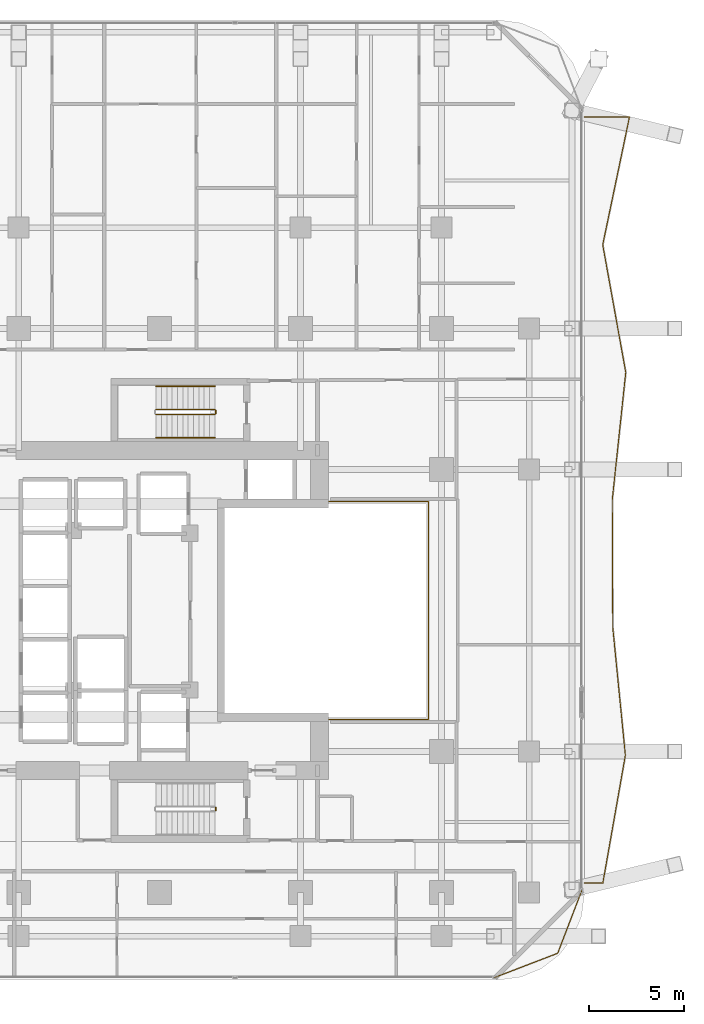
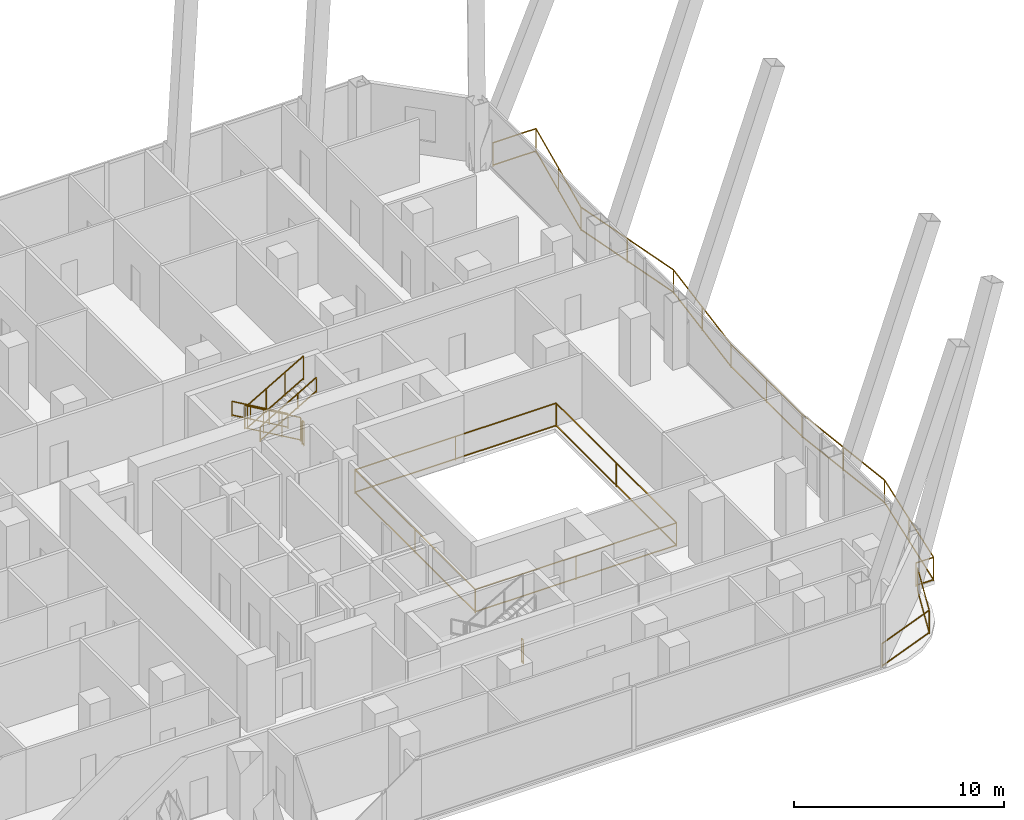
# One storey, part 31 of 32: 9 railings.
"""IFC4 building model written with IfcOpenShell, lengths in metres."""

from ifc_helpers import new_model, si_unit, direction, frame, origin, origin_2d, place, context, subcontext, project, spatial, rectangle, extrude, material, type_object, element, save


model = new_model("IFC4")

# Units and contexts
model_context = context("Model", 3, precision=1e-05, world=origin(), true_north=direction((0.0, 1.0)))
body_context = subcontext(model_context, "Body", "Model", "MODEL_VIEW")
ifc_project = project(units=[si_unit("LENGTHUNIT", "METRE"), si_unit("AREAUNIT", "SQUARE_METRE"), si_unit("VOLUMEUNIT", "CUBIC_METRE"), si_unit("PLANEANGLEUNIT", "RADIAN"), si_unit("MASSUNIT", "GRAM", prefix="KILO")], contexts=[model_context])

# Site, building, storey
site_placement = place(None, origin())
site = spatial("IfcSite", under=ifc_project, at=site_placement, CompositionType="ELEMENT")
building_placement = place(site_placement, origin())
building = spatial("IfcBuilding", under=site, at=building_placement, Name="Khorvyn Point Tower", CompositionType="ELEMENT")
storey_placement = place(building_placement, frame((0.0, 0.0, 93.0)))
storey = spatial("IfcBuildingStorey", under=building, at=storey_placement, Name="L23", CompositionType="ELEMENT", Elevation=93.0)

# Railings
ifc_material_1 = material(Name="Stainless steel 1.4401 and laminated glass", Category="steel")
railing_type_1 = type_object("IfcRailingType", Name="Crystal Atrium Smoke-Rated Perimeter Guardrail 1400", PredefinedType="GUARDRAIL", material=ifc_material_1)
railing_1_placement = place(storey_placement, frame((3.080078125, -5.719970703125, 0.0)))
element("IfcRailing", 1, at=railing_1_placement, inside=storey, type_object=railing_type_1, Name="L23 Crystal Atrium Perimeter Guardrail", PredefinedType="GUARDRAIL", context=body_context, shape_type="SweptSolid", body=[
    extrude(rectangle(XDim=0.048095703125, YDim=0.048095703125, at=origin_2d()), frame((0.0, 0.0, 1.3759765625), z_axis=(1.0, 0.0, 0.0), x_axis=(0.0, 1.0, 0.0)), (0.0, 0.0, 1.0), 11.0400390625),
    extrude(rectangle(XDim=0.048095703125, YDim=0.048095703125, at=origin_2d()), frame((0.0, 0.0, 0.080078125), z_axis=(1.0, 0.0, 0.0), x_axis=(0.0, 1.0, 0.0)), (0.0, 0.0, 1.0), 11.0400390625),
    extrude(rectangle(XDim=0.048095703125, YDim=0.048095703125, at=origin_2d()), frame((11.0400390625, 0.0, 1.3759765625), z_axis=(0.0, 1.0, 0.0), x_axis=(-1.0, 0.0, 0.0)), (0.0, 0.0, 1.0), 11.43994140625),
    extrude(rectangle(XDim=0.048095703125, YDim=0.048095703125, at=origin_2d()), frame((11.0400390625, 0.0, 0.080078125), z_axis=(0.0, 1.0, 0.0), x_axis=(-1.0, 0.0, 0.0)), (0.0, 0.0, 1.0), 11.43994140625),
    extrude(rectangle(XDim=0.048095703125, YDim=0.048095703125, at=origin_2d()), frame((11.0400390625, 11.43994140625, 1.3759765625), z_axis=(-1.0, 0.0, 0.0), x_axis=(0.0, -1.0, 0.0)), (0.0, 0.0, 1.0), 11.0400390625),
    extrude(rectangle(XDim=0.048095703125, YDim=0.048095703125, at=origin_2d()), frame((11.0400390625, 11.43994140625, 0.080078125), z_axis=(-1.0, 0.0, 0.0), x_axis=(0.0, -1.0, 0.0)), (0.0, 0.0, 1.0), 11.0400390625),
    extrude(rectangle(XDim=0.048095703125, YDim=0.048095703125, at=origin_2d()), frame((0.0, 11.43994140625, 1.3759765625), z_axis=(0.0, -1.0, 0.0), x_axis=(1.0, 0.0, 0.0)), (0.0, 0.0, 1.0), 11.409912109375),
    extrude(rectangle(XDim=0.048095703125, YDim=0.048095703125, at=origin_2d()), frame((0.0, 11.43994140625, 0.080078125), z_axis=(0.0, -1.0, 0.0), x_axis=(1.0, 0.0, 0.0)), (0.0, 0.0, 1.0), 11.409912109375),
    extrude(rectangle(XDim=0.0419921875, YDim=0.0419921875, at=origin_2d()), origin(), (0.0, 0.0, 1.0), 1.351806640625),
    extrude(rectangle(XDim=0.0419921875, YDim=0.0419921875, at=origin_2d()), frame((5.52001953125, 0.0, 0.0)), (0.0, 0.0, 1.0), 1.351806640625),
    extrude(rectangle(XDim=0.0419921875, YDim=0.0419921875, at=origin_2d()), frame((11.0400390625, 0.0, 0.0)), (0.0, 0.0, 1.0), 1.351806640625),
    extrude(rectangle(XDim=0.0419921875, YDim=0.0419921875, at=origin_2d()), frame((11.0400390625, 5.719970703125, 0.0)), (0.0, 0.0, 1.0), 1.351806640625),
    extrude(rectangle(XDim=0.0419921875, YDim=0.0419921875, at=origin_2d()), frame((11.0400390625, 11.43994140625, 0.0)), (0.0, 0.0, 1.0), 1.351806640625),
    extrude(rectangle(XDim=0.0419921875, YDim=0.0419921875, at=origin_2d()), frame((5.52001953125, 11.43994140625, 0.0)), (0.0, 0.0, 1.0), 1.351806640625),
    extrude(rectangle(XDim=0.0419921875, YDim=0.0419921875, at=origin_2d()), frame((0.0, 11.43994140625, 0.0)), (0.0, 0.0, 1.0), 1.351806640625),
    extrude(rectangle(XDim=0.0419921875, YDim=0.0419921875, at=origin_2d()), frame((0.0, 5.73486328125, 0.0)), (0.0, 0.0, 1.0), 1.351806640625),
    extrude(rectangle(XDim=0.0419921875, YDim=0.0419921875, at=origin_2d()), frame((0.0, 0.030029296875, 0.0)), (0.0, 0.0, 1.0), 1.351806640625),
])
ifc_material_2 = material(Name="Anodised aluminium 6063-T6 and laminated safety glass", Category="aluminium")
railing_type_2 = type_object("IfcRailingType", Name="Laminated Glass and Aluminium Balcony Guardrail 1400", PredefinedType="BALUSTRADE", material=ifc_material_2)
railing_2_placement = place(storey_placement, frame((17.57080078125, -19.27392578125, 0.0)))
element("IfcRailing", 2, at=railing_2_placement, inside=storey, type_object=railing_type_2, Name="L23 Rounded Corner Edge Guardrail SE", PredefinedType="BALUSTRADE", context=body_context, shape_type="SweptSolid", body=[
    extrude(rectangle(XDim=0.048095703125, YDim=0.048095703125, at=origin_2d()), frame((0.0, 0.0, 1.3759765625), z_axis=(0.933583807283, 0.358359142172, 0.0), x_axis=(-0.358359142172, 0.933583807283, 0.0)), (0.0, 0.0, 1.0), 3.56298828125),
    extrude(rectangle(XDim=0.048095703125, YDim=0.048095703125, at=origin_2d()), frame((0.0, 0.0, 0.080078125), z_axis=(0.933583807283, 0.358359142172, 0.0), x_axis=(-0.358359142172, 0.933583807283, 0.0)), (0.0, 0.0, 1.0), 3.56298828125),
    extrude(rectangle(XDim=0.048095703125, YDim=0.048095703125, at=origin_2d()), frame((3.326416015625, 1.27685546875, 1.3759765625), z_axis=(0.358382067435, 0.933575007025, 0.0), x_axis=(-0.933575007025, 0.358382067435, 0.0)), (0.0, 0.0, 1.0), 3.562744140625),
    extrude(rectangle(XDim=0.048095703125, YDim=0.048095703125, at=origin_2d()), frame((3.326416015625, 1.27685546875, 0.080078125), z_axis=(0.358382067435, 0.933575007025, 0.0), x_axis=(-0.933575007025, 0.358382067435, 0.0)), (0.0, 0.0, 1.0), 3.562744140625),
    extrude(rectangle(XDim=0.0419921875, YDim=0.0419921875, at=origin_2d()), origin(), (0.0, 0.0, 1.0), 1.351806640625),
    extrude(rectangle(XDim=0.0419921875, YDim=0.0419921875, at=origin_2d()), frame((3.326416015625, 1.27685546875, 0.0)), (0.0, 0.0, 1.0), 1.351806640625),
    extrude(rectangle(XDim=0.0419921875, YDim=0.0419921875, at=origin_2d()), frame((4.603271484375, 4.60302734375, 0.0)), (0.0, 0.0, 1.0), 1.351806640625),
])
railing_3_placement = place(storey_placement, frame((22.300048828125, -14.300048828125, 0.0)))
element("IfcRailing", 3, at=railing_3_placement, inside=storey, type_object=railing_type_2, Name="L23 East Balcony Guardrail", PredefinedType="BALUSTRADE", context=body_context, shape_type="SweptSolid", body=[
    extrude(rectangle(XDim=0.048095703125, YDim=0.048095703125, at=origin_2d()), frame((0.0, 0.0, 1.3759765625), z_axis=(1.0, 0.0, 0.0), x_axis=(0.0, 1.0, 0.0)), (0.0, 0.0, 1.0), 0.968017578125),
    extrude(rectangle(XDim=0.048095703125, YDim=0.048095703125, at=origin_2d()), frame((0.0, 0.0, 0.080078125), z_axis=(1.0, 0.0, 0.0), x_axis=(0.0, 1.0, 0.0)), (0.0, 0.0, 1.0), 0.968017578125),
    extrude(rectangle(XDim=0.048095703125, YDim=0.048095703125, at=origin_2d()), frame((0.968017578125, 0.0, 1.3759765625), z_axis=(0.173685022658, 0.984801255536, 0.0), x_axis=(-0.984801255536, 0.173685022658, 0.0)), (0.0, 0.0, 1.0), 6.803466796875),
    extrude(rectangle(XDim=0.048095703125, YDim=0.048095703125, at=origin_2d()), frame((0.968017578125, 0.0, 0.080078125), z_axis=(0.173685022658, 0.984801255536, 0.0), x_axis=(-0.984801255536, 0.173685022658, 0.0)), (0.0, 0.0, 1.0), 6.803466796875),
    extrude(rectangle(XDim=0.048095703125, YDim=0.048095703125, at=origin_2d()), frame((2.149658203125, 6.699951171875, 1.3759765625), z_axis=(-0.098232686566, 0.995163473651, 0.0), x_axis=(-0.995163473651, -0.098232686566, 0.0)), (0.0, 0.0, 1.0), 6.732666015625),
    extrude(rectangle(XDim=0.048095703125, YDim=0.048095703125, at=origin_2d()), frame((2.149658203125, 6.699951171875, 0.080078125), z_axis=(-0.098232686566, 0.995163473651, 0.0), x_axis=(-0.995163473651, -0.098232686566, 0.0)), (0.0, 0.0, 1.0), 6.732666015625),
    extrude(rectangle(XDim=0.048095703125, YDim=0.048095703125, at=origin_2d()), frame((1.48828125, 13.400146484375, 1.3759765625), z_axis=(-0.004117590718, 0.999991522687, 0.0), x_axis=(-0.999991522687, -0.004117590718, 0.0)), (0.0, 0.0, 1.0), 6.699951171875),
    extrude(rectangle(XDim=0.048095703125, YDim=0.048095703125, at=origin_2d()), frame((1.48828125, 13.400146484375, 0.080078125), z_axis=(-0.004117590718, 0.999991522687, 0.0), x_axis=(-0.999991522687, -0.004117590718, 0.0)), (0.0, 0.0, 1.0), 6.699951171875),
    extrude(rectangle(XDim=0.048095703125, YDim=0.048095703125, at=origin_2d()), frame((1.460693359375, 20.10009765625, 1.3759765625), z_axis=(0.105303466428, 0.994440133924, 0.0), x_axis=(-0.994440133924, 0.105303466428, 0.0)), (0.0, 0.0, 1.0), 6.7373046875),
    extrude(rectangle(XDim=0.048095703125, YDim=0.048095703125, at=origin_2d()), frame((1.460693359375, 20.10009765625, 0.080078125), z_axis=(0.105303466428, 0.994440133924, 0.0), x_axis=(-0.994440133924, 0.105303466428, 0.0)), (0.0, 0.0, 1.0), 6.7373046875),
    extrude(rectangle(XDim=0.048095703125, YDim=0.048095703125, at=origin_2d()), frame((2.170166015625, 26.800048828125, 1.3759765625), z_axis=(-0.177787191448, 0.984068958233, 0.0), x_axis=(-0.984068958233, -0.177787191448, 0.0)), (0.0, 0.0, 1.0), 6.808349609375),
    extrude(rectangle(XDim=0.048095703125, YDim=0.048095703125, at=origin_2d()), frame((2.170166015625, 26.800048828125, 0.080078125), z_axis=(-0.177787191448, 0.984068958233, 0.0), x_axis=(-0.984068958233, -0.177787191448, 0.0)), (0.0, 0.0, 1.0), 6.808349609375),
    extrude(rectangle(XDim=0.048095703125, YDim=0.048095703125, at=origin_2d()), frame((0.959716796875, 33.5, 1.3759765625), z_axis=(0.204935464509, 0.978775487733, 0.0), x_axis=(-0.978775487733, 0.204935464509, 0.0)), (0.0, 0.0, 1.0), 6.84521484375),
    extrude(rectangle(XDim=0.048095703125, YDim=0.048095703125, at=origin_2d()), frame((0.959716796875, 33.5, 0.080078125), z_axis=(0.204935464509, 0.978775487733, 0.0), x_axis=(-0.978775487733, 0.204935464509, 0.0)), (0.0, 0.0, 1.0), 6.84521484375),
    extrude(rectangle(XDim=0.048095703125, YDim=0.048095703125, at=origin_2d()), frame((2.362548828125, 40.199951171875, 1.3759765625), z_axis=(-1.0, 0.0, 0.0), x_axis=(0.0, -1.0, 0.0)), (0.0, 0.0, 1.0), 2.362548828125),
    extrude(rectangle(XDim=0.048095703125, YDim=0.048095703125, at=origin_2d()), frame((2.362548828125, 40.199951171875, 0.080078125), z_axis=(-1.0, 0.0, 0.0), x_axis=(0.0, -1.0, 0.0)), (0.0, 0.0, 1.0), 2.362548828125),
    extrude(rectangle(XDim=0.0419921875, YDim=0.0419921875, at=origin_2d()), origin(), (0.0, 0.0, 1.0), 1.351806640625),
    extrude(rectangle(XDim=0.0419921875, YDim=0.0419921875, at=origin_2d()), frame((0.968017578125, 0.0, 0.0)), (0.0, 0.0, 1.0), 1.351806640625),
    extrude(rectangle(XDim=0.0419921875, YDim=0.0419921875, at=origin_2d()), frame((1.558837890625, 3.35009765625, 0.0)), (0.0, 0.0, 1.0), 1.351806640625),
    extrude(rectangle(XDim=0.0419921875, YDim=0.0419921875, at=origin_2d()), frame((2.149658203125, 6.699951171875, 0.0)), (0.0, 0.0, 1.0), 1.351806640625),
    extrude(rectangle(XDim=0.0419921875, YDim=0.0419921875, at=origin_2d()), frame((1.81884765625, 10.050048828125, 0.0)), (0.0, 0.0, 1.0), 1.351806640625),
    extrude(rectangle(XDim=0.0419921875, YDim=0.0419921875, at=origin_2d()), frame((1.48828125, 13.400146484375, 0.0)), (0.0, 0.0, 1.0), 1.351806640625),
    extrude(rectangle(XDim=0.0419921875, YDim=0.0419921875, at=origin_2d()), frame((1.474609375, 16.75, 0.0)), (0.0, 0.0, 1.0), 1.351806640625),
    extrude(rectangle(XDim=0.0419921875, YDim=0.0419921875, at=origin_2d()), frame((1.460693359375, 20.10009765625, 0.0)), (0.0, 0.0, 1.0), 1.351806640625),
    extrude(rectangle(XDim=0.0419921875, YDim=0.0419921875, at=origin_2d()), frame((1.8154296875, 23.4501953125, 0.0)), (0.0, 0.0, 1.0), 1.351806640625),
    extrude(rectangle(XDim=0.0419921875, YDim=0.0419921875, at=origin_2d()), frame((2.170166015625, 26.800048828125, 0.0)), (0.0, 0.0, 1.0), 1.351806640625),
    extrude(rectangle(XDim=0.0419921875, YDim=0.0419921875, at=origin_2d()), frame((1.56494140625, 30.14990234375, 0.0)), (0.0, 0.0, 1.0), 1.351806640625),
    extrude(rectangle(XDim=0.0419921875, YDim=0.0419921875, at=origin_2d()), frame((0.959716796875, 33.5, 0.0)), (0.0, 0.0, 1.0), 1.351806640625),
    extrude(rectangle(XDim=0.0419921875, YDim=0.0419921875, at=origin_2d()), frame((1.6611328125, 36.85009765625, 0.0)), (0.0, 0.0, 1.0), 1.351806640625),
    extrude(rectangle(XDim=0.0419921875, YDim=0.0419921875, at=origin_2d()), frame((2.362548828125, 40.199951171875, 0.0)), (0.0, 0.0, 1.0), 1.351806640625),
    extrude(rectangle(XDim=0.0419921875, YDim=0.0419921875, at=origin_2d()), frame((0.0, 40.199951171875, 0.0)), (0.0, 0.0, 1.0), 1.351806640625),
])
ifc_material_3 = material(Name="Stainless steel 1.4301", Category="steel")
railing_type_3 = type_object("IfcRailingType", Name="Stainless Steel 304 Stair Pitch Handrail 900", PredefinedType="HANDRAIL", material=ifc_material_3)
railing_4_placement = place(storey_placement, frame((2.89990234375, 11.77001953125, 0.16259765625)))
element("IfcRailing", 4, at=railing_4_placement, inside=storey, type_object=railing_type_3, Name="L23 ST-02 stair handrail 1", PredefinedType="HANDRAIL", context=body_context, shape_type="SweptSolid", body=[
    extrude(rectangle(XDim=0.048095703125, YDim=0.048095703125, at=origin_2d()), frame((0.0, 0.0, 0.8759765625), z_axis=(-0.864903211148, 0.0, 0.501938676878), x_axis=(0.0, -1.0, 0.0)), (0.0, 0.0, 1.0), 3.560791015625),
    extrude(rectangle(XDim=0.048095703125, YDim=0.048095703125, at=origin_2d()), frame((0.0, 0.0, 0.080078125), z_axis=(-0.864903211148, 0.0, 0.501938676878), x_axis=(0.0, -1.0, 0.0)), (0.0, 0.0, 1.0), 3.560791015625),
    extrude(rectangle(XDim=0.0419921875, YDim=0.0419921875, at=origin_2d()), origin(), (0.0, 0.0, 1.0), 0.851806640625),
    extrude(rectangle(XDim=0.0419921875, YDim=0.0419921875, at=origin_2d()), frame((-1.026611328125, 0.0, 0.595703125)), (0.0, 0.0, 1.0), 0.851806640625),
    extrude(rectangle(XDim=0.0419921875, YDim=0.0419921875, at=origin_2d()), frame((-2.05322265625, 0.0, 1.191650390625)), (0.0, 0.0, 1.0), 0.851806640625),
    extrude(rectangle(XDim=0.0419921875, YDim=0.0419921875, at=origin_2d()), frame((-3.079833984375, 0.0, 1.787353515625)), (0.0, 0.0, 1.0), 0.851806640625),
])
railing_5_placement = place(storey_placement, frame((-0.179931640625, 9.070068359375, 2.112548828125)))
element("IfcRailing", 5, at=railing_5_placement, inside=storey, type_object=railing_type_3, Name="L23 ST-02 stair handrail 2", PredefinedType="HANDRAIL", context=body_context, shape_type="SweptSolid", body=[
    extrude(rectangle(XDim=0.048095703125, YDim=0.048095703125, at=origin_2d()), frame((0.0, 0.0, 0.8759765625), z_axis=(0.864903211148, 0.0, 0.501938676878), x_axis=(0.0, 1.0, 0.0)), (0.0, 0.0, 1.0), 3.560791015625),
    extrude(rectangle(XDim=0.048095703125, YDim=0.048095703125, at=origin_2d()), frame((0.0, 0.0, 0.080078125), z_axis=(0.864903211148, 0.0, 0.501938676878), x_axis=(0.0, 1.0, 0.0)), (0.0, 0.0, 1.0), 3.560791015625),
    extrude(rectangle(XDim=0.0419921875, YDim=0.0419921875, at=origin_2d()), origin(), (0.0, 0.0, 1.0), 0.851806640625),
    extrude(rectangle(XDim=0.0419921875, YDim=0.0419921875, at=origin_2d()), frame((1.026611328125, 0.0, 0.595703125)), (0.0, 0.0, 1.0), 0.851806640625),
    extrude(rectangle(XDim=0.0419921875, YDim=0.0419921875, at=origin_2d()), frame((2.05322265625, 0.0, 1.191650390625)), (0.0, 0.0, 1.0), 0.851806640625),
    extrude(rectangle(XDim=0.0419921875, YDim=0.0419921875, at=origin_2d()), frame((3.079833984375, 0.0, 1.787353515625)), (0.0, 0.0, 1.0), 0.851806640625),
])
railing_type_4 = type_object("IfcRailingType", Name="Stainless Steel 304 Stair Well Guardrail 1400", PredefinedType="GUARDRAIL", material=ifc_material_3)
railing_6_placement = place(storey_placement, frame((2.949951171875, -10.340087890625, 0.0)))
element("IfcRailing", 6, at=railing_6_placement, inside=storey, type_object=railing_type_4, Name="L23 ST-01 stair guard 4", PredefinedType="GUARDRAIL", context=body_context, shape_type="SweptSolid", body=[
    extrude(rectangle(XDim=0.048095703125, YDim=0.048095703125, at=origin_2d()), frame((0.0, 0.0, 1.3759765625), z_axis=(0.0, -1.0, 0.0), x_axis=(1.0, 0.0, 0.0)), (0.0, 0.0, 1.0), 0.159912109375),
    extrude(rectangle(XDim=0.048095703125, YDim=0.048095703125, at=origin_2d()), frame((0.0, 0.0, 0.080078125), z_axis=(0.0, -1.0, 0.0), x_axis=(1.0, 0.0, 0.0)), (0.0, 0.0, 1.0), 0.159912109375),
    extrude(rectangle(XDim=0.0419921875, YDim=0.0419921875, at=origin_2d()), origin(), (0.0, 0.0, 1.0), 1.351806640625),
    extrude(rectangle(XDim=0.0419921875, YDim=0.0419921875, at=origin_2d()), frame((0.0, -0.159912109375, 0.0)), (0.0, 0.0, 1.0), 1.351806640625),
])
railing_7_placement = place(storey_placement, frame((2.89990234375, 10.550048828125, 0.16259765625)))
element("IfcRailing", 7, at=railing_7_placement, inside=storey, type_object=railing_type_4, Name="L23 ST-02 stair guard 1", PredefinedType="GUARDRAIL", context=body_context, shape_type="SweptSolid", body=[
    extrude(rectangle(XDim=0.048095703125, YDim=0.048095703125, at=origin_2d()), frame((0.0, 0.0, 1.3759765625), z_axis=(-0.864903211148, 0.0, 0.501938676878), x_axis=(0.0, -1.0, 0.0)), (0.0, 0.0, 1.0), 3.560791015625),
    extrude(rectangle(XDim=0.048095703125, YDim=0.048095703125, at=origin_2d()), frame((0.0, 0.0, 0.080078125), z_axis=(-0.864903211148, 0.0, 0.501938676878), x_axis=(0.0, -1.0, 0.0)), (0.0, 0.0, 1.0), 3.560791015625),
    extrude(rectangle(XDim=0.0419921875, YDim=0.0419921875, at=origin_2d()), origin(), (0.0, 0.0, 1.0), 1.351806640625),
    extrude(rectangle(XDim=0.0419921875, YDim=0.0419921875, at=origin_2d()), frame((-1.026611328125, 0.0, 0.595703125)), (0.0, 0.0, 1.0), 1.351806640625),
    extrude(rectangle(XDim=0.0419921875, YDim=0.0419921875, at=origin_2d()), frame((-2.05322265625, 0.0, 1.191650390625)), (0.0, 0.0, 1.0), 1.351806640625),
    extrude(rectangle(XDim=0.0419921875, YDim=0.0419921875, at=origin_2d()), frame((-3.079833984375, 0.0, 1.787353515625)), (0.0, 0.0, 1.0), 1.351806640625),
])
railing_8_placement = place(storey_placement, frame((-0.179931640625, 10.2900390625, 2.112548828125)))
element("IfcRailing", 8, at=railing_8_placement, inside=storey, type_object=railing_type_4, Name="L23 ST-02 stair guard 3", PredefinedType="GUARDRAIL", context=body_context, shape_type="SweptSolid", body=[
    extrude(rectangle(XDim=0.048095703125, YDim=0.048095703125, at=origin_2d()), frame((0.0, 0.0, 1.3759765625), z_axis=(0.864903211148, 0.0, 0.501938676878), x_axis=(0.0, 1.0, 0.0)), (0.0, 0.0, 1.0), 3.560791015625),
    extrude(rectangle(XDim=0.048095703125, YDim=0.048095703125, at=origin_2d()), frame((0.0, 0.0, 0.080078125), z_axis=(0.864903211148, 0.0, 0.501938676878), x_axis=(0.0, 1.0, 0.0)), (0.0, 0.0, 1.0), 3.560791015625),
    extrude(rectangle(XDim=0.0419921875, YDim=0.0419921875, at=origin_2d()), origin(), (0.0, 0.0, 1.0), 1.351806640625),
    extrude(rectangle(XDim=0.0419921875, YDim=0.0419921875, at=origin_2d()), frame((1.026611328125, 0.0, 0.595703125)), (0.0, 0.0, 1.0), 1.351806640625),
    extrude(rectangle(XDim=0.0419921875, YDim=0.0419921875, at=origin_2d()), frame((2.05322265625, 0.0, 1.191650390625)), (0.0, 0.0, 1.0), 1.351806640625),
    extrude(rectangle(XDim=0.0419921875, YDim=0.0419921875, at=origin_2d()), frame((3.079833984375, 0.0, 1.787353515625)), (0.0, 0.0, 1.0), 1.351806640625),
])
railing_9_placement = place(storey_placement, frame((2.949951171875, 10.5, 0.0)))
element("IfcRailing", 9, at=railing_9_placement, inside=storey, type_object=railing_type_4, Name="L23 ST-02 stair guard 4", PredefinedType="GUARDRAIL", context=body_context, shape_type="SweptSolid", body=[
    extrude(rectangle(XDim=0.048095703125, YDim=0.048095703125, at=origin_2d()), frame((0.0, 0.0, 1.3759765625), z_axis=(0.0, -1.0, 0.0), x_axis=(1.0, 0.0, 0.0)), (0.0, 0.0, 1.0), 0.159912109375),
    extrude(rectangle(XDim=0.048095703125, YDim=0.048095703125, at=origin_2d()), frame((0.0, 0.0, 0.080078125), z_axis=(0.0, -1.0, 0.0), x_axis=(1.0, 0.0, 0.0)), (0.0, 0.0, 1.0), 0.159912109375),
    extrude(rectangle(XDim=0.0419921875, YDim=0.0419921875, at=origin_2d()), origin(), (0.0, 0.0, 1.0), 1.351806640625),
    extrude(rectangle(XDim=0.0419921875, YDim=0.0419921875, at=origin_2d()), frame((0.0, -0.159912109375, 0.0)), (0.0, 0.0, 1.0), 1.351806640625),
])

save(model, "model.ifc")
